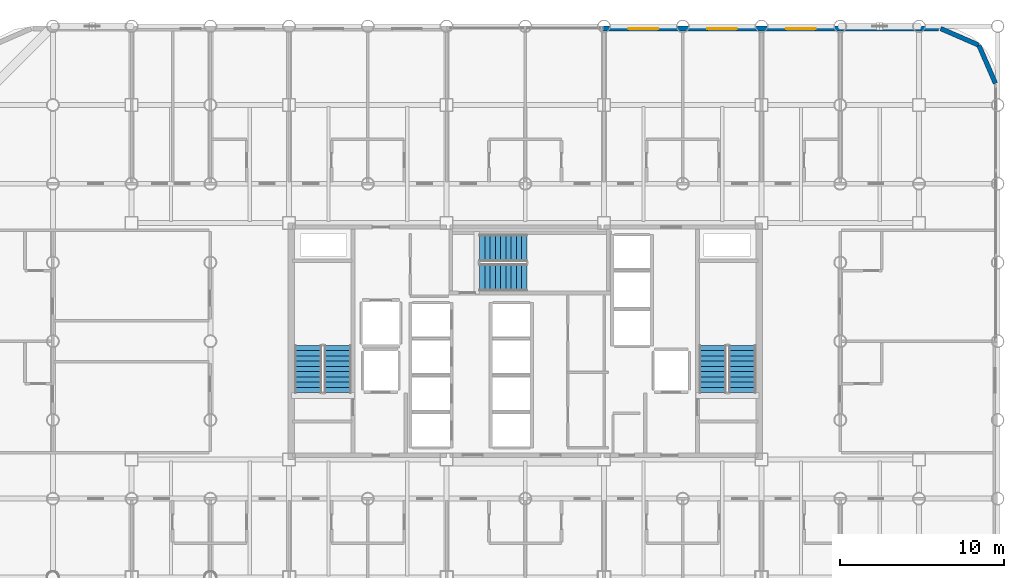
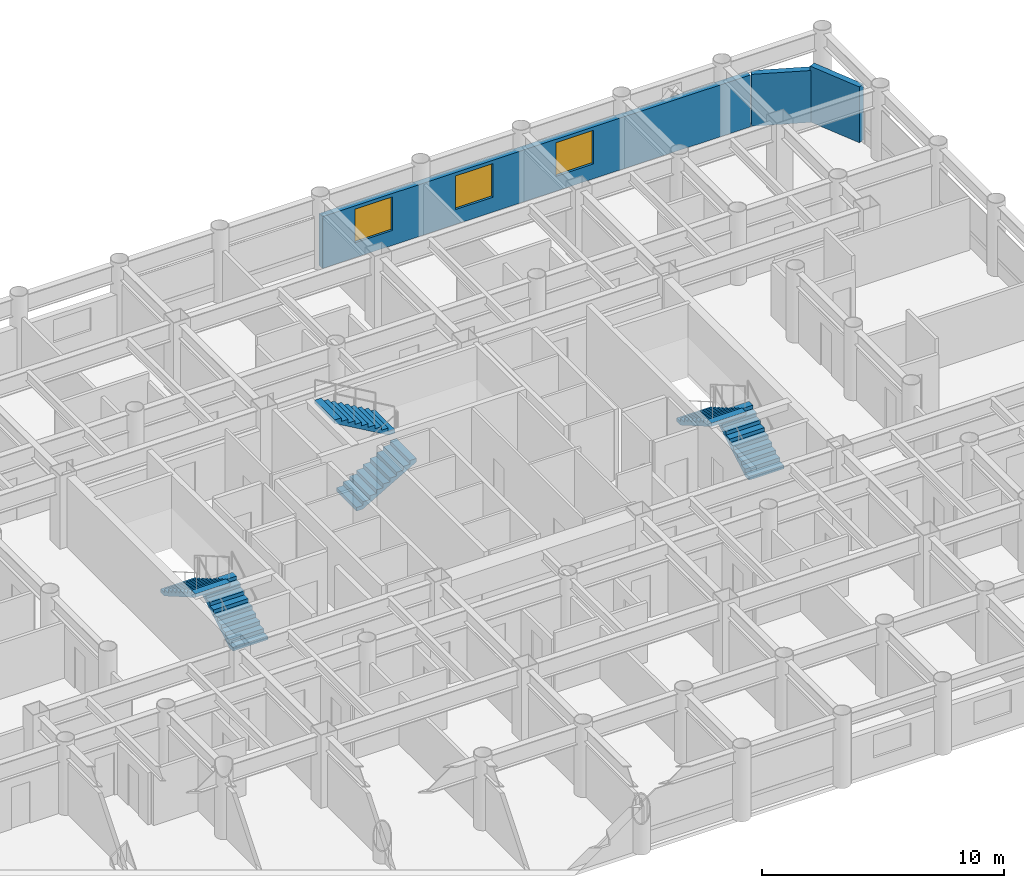
# One storey, part 21 of 22: 6 stair flights, 3 walls, 3 windows, 3 openings, 3 elements without a shape of their own.
"""IFC4 building model written with IfcOpenShell, lengths in metres."""

from ifc_helpers import new_model, si_unit, direction, frame, frame_2d, origin, place, context, subcontext, project, spatial, polyline, rectangle, outline, extrude, material, layer, layer_set, type_object, element, fill, aggregate, save


model = new_model("IFC4")

# Units and contexts
model_context = context("Model", 3, precision=1e-05, world=origin(), true_north=direction((0.0, 1.0)))
body_context = subcontext(model_context, "Body", "Model", "MODEL_VIEW")
ifc_project = project(units=[si_unit("LENGTHUNIT", "METRE"), si_unit("AREAUNIT", "SQUARE_METRE"), si_unit("VOLUMEUNIT", "CUBIC_METRE"), si_unit("PLANEANGLEUNIT", "RADIAN"), si_unit("MASSUNIT", "GRAM", prefix="KILO")], contexts=[model_context])

# Site, building, storey
site_placement = place(None, origin())
site = spatial("IfcSite", under=ifc_project, at=site_placement, CompositionType="ELEMENT")
building_placement = place(site_placement, origin())
building = spatial("IfcBuilding", under=site, at=building_placement, Name="Kallvorn Hotel Tower", CompositionType="ELEMENT")
storey_placement = place(building_placement, frame((0.0, 0.0, 33.699951171875)))
storey = spatial("IfcBuildingStorey", under=building, at=storey_placement, Name="L06", CompositionType="ELEMENT", Elevation=33.699951171875)

# Walls
ifc_material_1 = material(Name="Precast basalt-clad insulated concrete wall C40/50", Category="masonry")
ifc_layer = layer(ifc_material_1, 0.280029296875)
ifc_layer_set = layer_set([ifc_layer], Name="WL_EXT_LOGGIA_280")
wall_type = type_object("IfcWallType", Name="WL_EXT_LOGGIA_280", PredefinedType="SOLIDWALL", material=ifc_layer_set)
wall_1_placement = place(storey_placement, frame((28.657958984375, 15.720703125, 0.0), z_axis=(0.0, 0.0, 1.0), x_axis=(-0.398792985289, 0.917040977756, 0.0)))
element("IfcWall", 1, at=wall_1_placement, inside=storey, type_object=wall_type, Name="L06 Rounded Corner Exterior Wall NE1", PredefinedType="SOLIDWALL", context=body_context, shape_type="SweptSolid", body=[
    extrude(rectangle(XDim=2.536376953125, YDim=0.280029296875, at=frame_2d((1.26806640625, 0.0))), origin(), (0.0, 0.0, 1.0), 2.820068359375),
])
wall_2_placement = place(storey_placement, frame((27.646484375, 18.046630859375, 0.0), z_axis=(0.0, 0.0, 1.0), x_axis=(-0.917060872934, 0.398747232384, 0.0)))
element("IfcWall", 2, at=wall_2_placement, inside=storey, type_object=wall_type, Name="L06 Rounded Corner Exterior Wall NE2", PredefinedType="SOLIDWALL", context=body_context, shape_type="SweptSolid", body=[
    extrude(rectangle(XDim=2.5361328125, YDim=0.280029296875, at=frame_2d((1.26806640625, 0.0))), origin(), (0.0, 0.0, 1.0), 2.6201171875),
])

# Wall, openings, windows
wall_3_placement = place(storey_placement, frame((4.75, 19.06005859375, 0.0), z_axis=(0.0, 0.0, 1.0), x_axis=(1.0, 0.0, 0.0)))
wall_3 = element("IfcWall", 3, at=wall_3_placement, inside=storey, type_object=wall_type, Name="L06 Exterior Envelope Wall EW-L06-NE", PredefinedType="SOLIDWALL", context=body_context, shape_type="SweptSolid", body=[
    extrude(rectangle(XDim=20.449951171875, YDim=0.280029296875, at=frame_2d((10.22509765625, 0.0))), origin(), (0.0, 0.0, 1.0), 2.6201171875),
])
opening_1_placement = place(wall_3_placement, frame((1.550048828125, 0.0, 0.75)))
opening_1 = element("IfcOpeningElement", 4, at=opening_1_placement, cuts=wall_3, Name="Opening W04", PredefinedType="OPENING", context=body_context, shape_type="SweptSolid", body=[
    extrude(rectangle(XDim=1.800048828125, YDim=1.699951171875, at=frame_2d((0.89990234375, 0.85009765625))), frame((0.0, 0.155029296875, 0.0), z_axis=(0.0, -1.0, 0.0), x_axis=(1.0, 0.0, 0.0)), (0.0, 0.0, 1.0), 0.31005859375),
])
opening_2_placement = place(wall_3_placement, frame((6.35009765625, 0.0, 0.75)))
opening_2 = element("IfcOpeningElement", 5, at=opening_2_placement, cuts=wall_3, Name="Opening W04", PredefinedType="OPENING", context=body_context, shape_type="SweptSolid", body=[
    extrude(rectangle(XDim=1.800048828125, YDim=1.699951171875, at=frame_2d((0.89990234375, 0.85009765625))), frame((0.0, 0.155029296875, 0.0), z_axis=(0.0, -1.0, 0.0), x_axis=(1.0, 0.0, 0.0)), (0.0, 0.0, 1.0), 0.31005859375),
])
opening_3_placement = place(wall_3_placement, frame((11.14990234375, 0.0, 0.75)))
opening_3 = element("IfcOpeningElement", 6, at=opening_3_placement, cuts=wall_3, Name="Opening W04", PredefinedType="OPENING", context=body_context, shape_type="SweptSolid", body=[
    extrude(rectangle(XDim=1.800048828125, YDim=1.699951171875, at=frame_2d((0.89990234375, 0.85009765625))), frame((0.0, 0.155029296875, 0.0), z_axis=(0.0, -1.0, 0.0), x_axis=(1.0, 0.0, 0.0)), (0.0, 0.0, 1.0), 0.31005859375),
])
ifc_material_2 = material(Name="Double-glazed low-e solar-control dark glass", Category="glass")
window_type = type_object("IfcWindowType", Name="WN_HTL_1800x1700", PartitioningType="SINGLE_PANEL", PredefinedType="WINDOW", material=ifc_material_2)
window_1_placement = place(opening_1_placement, origin())
window_1 = element("IfcWindow", 7, at=window_1_placement, inside=storey, type_object=window_type, Name="L06 Guestroom Exterior Window 14", OverallHeight=1.699951171875, OverallWidth=1.800048828125, PartitioningType="SINGLE_PANEL", PredefinedType="WINDOW", context=body_context, shape_type="SweptSolid", body=[
    extrude(rectangle(XDim=1.800048828125, YDim=1.699951171875, at=frame_2d((0.89990234375, 0.85009765625))), frame((0.0, 0.030029296875, 0.0), z_axis=(0.0, -1.0, 0.0), x_axis=(1.0, 0.0, 0.0)), (0.0, 0.0, 1.0), 0.06005859375),
])
fill(opening_1, window_1)
window_2_placement = place(opening_2_placement, origin())
window_2 = element("IfcWindow", 8, at=window_2_placement, inside=storey, type_object=window_type, Name="L06 Guestroom Exterior Window 15", OverallHeight=1.699951171875, OverallWidth=1.800048828125, PartitioningType="SINGLE_PANEL", PredefinedType="WINDOW", context=body_context, shape_type="SweptSolid", body=[
    extrude(rectangle(XDim=1.800048828125, YDim=1.699951171875, at=frame_2d((0.89990234375, 0.85009765625))), frame((0.0, 0.030029296875, 0.0), z_axis=(0.0, -1.0, 0.0), x_axis=(1.0, 0.0, 0.0)), (0.0, 0.0, 1.0), 0.06005859375),
])
fill(opening_2, window_2)
window_3_placement = place(opening_3_placement, origin())
window_3 = element("IfcWindow", 9, at=window_3_placement, inside=storey, type_object=window_type, Name="L06 Guestroom Exterior Window 16", OverallHeight=1.699951171875, OverallWidth=1.800048828125, PartitioningType="SINGLE_PANEL", PredefinedType="WINDOW", context=body_context, shape_type="SweptSolid", body=[
    extrude(rectangle(XDim=1.800048828125, YDim=1.699951171875, at=frame_2d((0.89990234375, 0.85009765625))), frame((0.0, 0.030029296875, 0.0), z_axis=(0.0, -1.0, 0.0), x_axis=(1.0, 0.0, 0.0)), (0.0, 0.0, 1.0), 0.06005859375),
])
fill(opening_3, window_3)

# Stair, stair flights
ifc_material_3 = material(Name="Precast concrete C40/50", Category="concrete")
stair_type = type_object("IfcStairType", Name="STR_CORE_DOGLEG", PredefinedType="HALF_TURN_STAIR", material=ifc_material_3)
stair_1_placement = place(storey_placement, origin())
stair_1 = element("IfcStair", 10, at=stair_1_placement, inside=storey, type_object=stair_type, Name="L06 Exit stair ST1", PredefinedType="HALF_TURN_STAIR")
ifc_material_4 = material(Name="Precast concrete C40/50", Category="concrete")
stair_flight_type = type_object("IfcStairFlightType", Name="FLT_CORE_1660", PredefinedType="STRAIGHT", material=ifc_material_4)
stair_flight_1_placement = place(storey_placement, frame((-11.429931640625, -3.139892578125, 0.0), z_axis=(0.0, 0.0, 1.0), x_axis=(0.0, 1.0, 0.0)))
stair_flight_1 = element("IfcStairFlight", 11, at=stair_flight_1_placement, type_object=stair_flight_type, Name="ST1 flight 1", NumberOfRisers=10, NumberOfTreads=9, PredefinedType="STRAIGHT", RiserHeight=0.185, TreadLength=0.32, context=body_context, shape_type="SweptSolid", body=[
    extrude(outline(polyline([(0.0, 0.0), (0.0, 0.18505859375), (0.320068359375, 0.18505859375), (0.320068359375, 0.3701171875), (0.639892578125, 0.3701171875), (0.639892578125, 0.554931640625), (0.9599609375, 0.554931640625), (0.9599609375, 0.739990234375), (1.280029296875, 0.739990234375), (1.280029296875, 0.925048828125), (1.60009765625, 0.925048828125), (1.60009765625, 1.110107421875), (1.919921875, 1.110107421875), (1.919921875, 1.294921875), (2.239990234375, 1.294921875), (2.239990234375, 1.47998046875), (2.56005859375, 1.47998046875), (2.56005859375, 1.6650390625), (2.8798828125, 1.6650390625), (2.8798828125, 1.85009765625), (2.8798828125, 1.491943359375), (0.299560546875, 0.0), (0.0, 0.0)])), frame((0.0, 0.830078125, 0.0), z_axis=(0.0, -1.0, 0.0), x_axis=(1.0, 0.0, 0.0)), (0.0, 0.0, 1.0), 1.659912109375),
])
stair_flight_2_placement = place(storey_placement, frame((-13.22998046875, -0.260009765625, 1.85009765625), z_axis=(0.0, 0.0, 1.0), x_axis=(0.0, -1.0, 0.0)))
stair_flight_2 = element("IfcStairFlight", 12, at=stair_flight_2_placement, type_object=stair_flight_type, Name="ST1 flight 2", NumberOfRisers=10, NumberOfTreads=9, PredefinedType="STRAIGHT", RiserHeight=0.185, TreadLength=0.32, context=body_context, shape_type="SweptSolid", body=[
    extrude(outline(polyline([(0.0, 0.0), (0.0, 0.18505859375), (0.320068359375, 0.18505859375), (0.320068359375, 0.3701171875), (0.639892578125, 0.3701171875), (0.639892578125, 0.554931640625), (0.9599609375, 0.554931640625), (0.9599609375, 0.739990234375), (1.280029296875, 0.739990234375), (1.280029296875, 0.925048828125), (1.60009765625, 0.925048828125), (1.60009765625, 1.110107421875), (1.919921875, 1.110107421875), (1.919921875, 1.294921875), (2.239990234375, 1.294921875), (2.239990234375, 1.47998046875), (2.56005859375, 1.47998046875), (2.56005859375, 1.6650390625), (2.8798828125, 1.6650390625), (2.8798828125, 1.85009765625), (2.8798828125, 1.491943359375), (0.299560546875, 0.0), (0.0, 0.0)])), frame((0.0, 0.830078125, 0.0), z_axis=(0.0, -1.0, 0.0), x_axis=(1.0, 0.0, 0.0)), (0.0, 0.0, 1.0), 1.659912109375),
])
aggregate(stair_1, [stair_flight_1, stair_flight_2])

stair_2_placement = place(storey_placement, origin())
stair_2 = element("IfcStair", 13, at=stair_2_placement, inside=storey, type_object=stair_type, Name="L06 Exit stair ST2", PredefinedType="HALF_TURN_STAIR")
stair_flight_3_placement = place(storey_placement, frame((13.22998046875, -3.139892578125, 0.0), z_axis=(0.0, 0.0, 1.0), x_axis=(0.0, 1.0, 0.0)))
stair_flight_3 = element("IfcStairFlight", 14, at=stair_flight_3_placement, type_object=stair_flight_type, Name="ST2 flight 1", NumberOfRisers=10, NumberOfTreads=9, PredefinedType="STRAIGHT", RiserHeight=0.185, TreadLength=0.32, context=body_context, shape_type="SweptSolid", body=[
    extrude(outline(polyline([(0.0, 0.0), (0.0, 0.18505859375), (0.320068359375, 0.18505859375), (0.320068359375, 0.3701171875), (0.639892578125, 0.3701171875), (0.639892578125, 0.554931640625), (0.9599609375, 0.554931640625), (0.9599609375, 0.739990234375), (1.280029296875, 0.739990234375), (1.280029296875, 0.925048828125), (1.60009765625, 0.925048828125), (1.60009765625, 1.110107421875), (1.919921875, 1.110107421875), (1.919921875, 1.294921875), (2.239990234375, 1.294921875), (2.239990234375, 1.47998046875), (2.56005859375, 1.47998046875), (2.56005859375, 1.6650390625), (2.8798828125, 1.6650390625), (2.8798828125, 1.85009765625), (2.8798828125, 1.491943359375), (0.299560546875, 0.0), (0.0, 0.0)])), frame((0.0, 0.830078125, 0.0), z_axis=(0.0, -1.0, 0.0), x_axis=(1.0, 0.0, 0.0)), (0.0, 0.0, 1.0), 1.659912109375),
])
stair_flight_4_placement = place(storey_placement, frame((11.429931640625, -0.260009765625, 1.85009765625), z_axis=(0.0, 0.0, 1.0), x_axis=(0.0, -1.0, 0.0)))
stair_flight_4 = element("IfcStairFlight", 15, at=stair_flight_4_placement, type_object=stair_flight_type, Name="ST2 flight 2", NumberOfRisers=10, NumberOfTreads=9, PredefinedType="STRAIGHT", RiserHeight=0.185, TreadLength=0.32, context=body_context, shape_type="SweptSolid", body=[
    extrude(outline(polyline([(0.0, 0.0), (0.0, 0.18505859375), (0.320068359375, 0.18505859375), (0.320068359375, 0.3701171875), (0.639892578125, 0.3701171875), (0.639892578125, 0.554931640625), (0.9599609375, 0.554931640625), (0.9599609375, 0.739990234375), (1.280029296875, 0.739990234375), (1.280029296875, 0.925048828125), (1.60009765625, 0.925048828125), (1.60009765625, 1.110107421875), (1.919921875, 1.110107421875), (1.919921875, 1.294921875), (2.239990234375, 1.294921875), (2.239990234375, 1.47998046875), (2.56005859375, 1.47998046875), (2.56005859375, 1.6650390625), (2.8798828125, 1.6650390625), (2.8798828125, 1.85009765625), (2.8798828125, 1.491943359375), (0.299560546875, 0.0), (0.0, 0.0)])), frame((0.0, 0.830078125, 0.0), z_axis=(0.0, -1.0, 0.0), x_axis=(1.0, 0.0, 0.0)), (0.0, 0.0, 1.0), 1.659912109375),
])
aggregate(stair_2, [stair_flight_3, stair_flight_4])

stair_3_placement = place(storey_placement, origin())
stair_3 = element("IfcStair", 16, at=stair_3_placement, inside=storey, type_object=stair_type, Name="L06 Exit stair ST3", PredefinedType="HALF_TURN_STAIR")
stair_flight_5_placement = place(storey_placement, frame((-2.7900390625, 3.8798828125, 0.0), z_axis=(0.0, 0.0, 1.0), x_axis=(1.0, 0.0, 0.0)))
stair_flight_5 = element("IfcStairFlight", 17, at=stair_flight_5_placement, type_object=stair_flight_type, Name="ST3 flight 1", NumberOfRisers=10, NumberOfTreads=9, PredefinedType="STRAIGHT", RiserHeight=0.185, TreadLength=0.32, context=body_context, shape_type="SweptSolid", body=[
    extrude(outline(polyline([(0.0, 0.0), (0.0, 0.18505859375), (0.320068359375, 0.18505859375), (0.320068359375, 0.3701171875), (0.639892578125, 0.3701171875), (0.639892578125, 0.554931640625), (0.9599609375, 0.554931640625), (0.9599609375, 0.739990234375), (1.280029296875, 0.739990234375), (1.280029296875, 0.925048828125), (1.60009765625, 0.925048828125), (1.60009765625, 1.110107421875), (1.919921875, 1.110107421875), (1.919921875, 1.294921875), (2.239990234375, 1.294921875), (2.239990234375, 1.47998046875), (2.56005859375, 1.47998046875), (2.56005859375, 1.6650390625), (2.8798828125, 1.6650390625), (2.8798828125, 1.85009765625), (2.8798828125, 1.491943359375), (0.299560546875, 0.0), (0.0, 0.0)])), frame((0.0, 0.830078125, 0.0), z_axis=(0.0, -1.0, 0.0), x_axis=(1.0, 0.0, 0.0)), (0.0, 0.0, 1.0), 1.659912109375),
])
stair_flight_6_placement = place(storey_placement, frame((0.090087890625, 5.679931640625, 1.85009765625), z_axis=(0.0, 0.0, 1.0), x_axis=(-1.0, 0.0, 0.0)))
stair_flight_6 = element("IfcStairFlight", 18, at=stair_flight_6_placement, type_object=stair_flight_type, Name="ST3 flight 2", NumberOfRisers=10, NumberOfTreads=9, PredefinedType="STRAIGHT", RiserHeight=0.185, TreadLength=0.32, context=body_context, shape_type="SweptSolid", body=[
    extrude(outline(polyline([(0.0, 0.0), (0.0, 0.18505859375), (0.320068359375, 0.18505859375), (0.320068359375, 0.3701171875), (0.639892578125, 0.3701171875), (0.639892578125, 0.554931640625), (0.9599609375, 0.554931640625), (0.9599609375, 0.739990234375), (1.280029296875, 0.739990234375), (1.280029296875, 0.925048828125), (1.60009765625, 0.925048828125), (1.60009765625, 1.110107421875), (1.919921875, 1.110107421875), (1.919921875, 1.294921875), (2.239990234375, 1.294921875), (2.239990234375, 1.47998046875), (2.56005859375, 1.47998046875), (2.56005859375, 1.6650390625), (2.8798828125, 1.6650390625), (2.8798828125, 1.85009765625), (2.8798828125, 1.491943359375), (0.299560546875, 0.0), (0.0, 0.0)])), frame((0.0, 0.830078125, 0.0), z_axis=(0.0, -1.0, 0.0), x_axis=(1.0, 0.0, 0.0)), (0.0, 0.0, 1.0), 1.659912109375),
])
aggregate(stair_3, [stair_flight_5, stair_flight_6])

save(model, "model.ifc")
